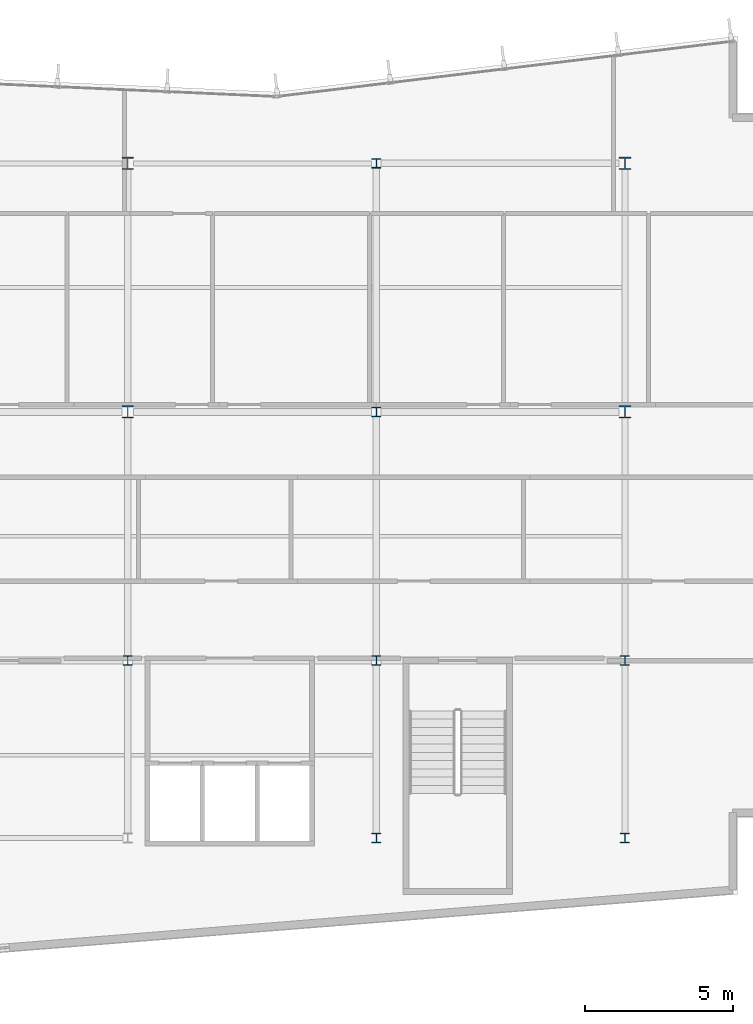
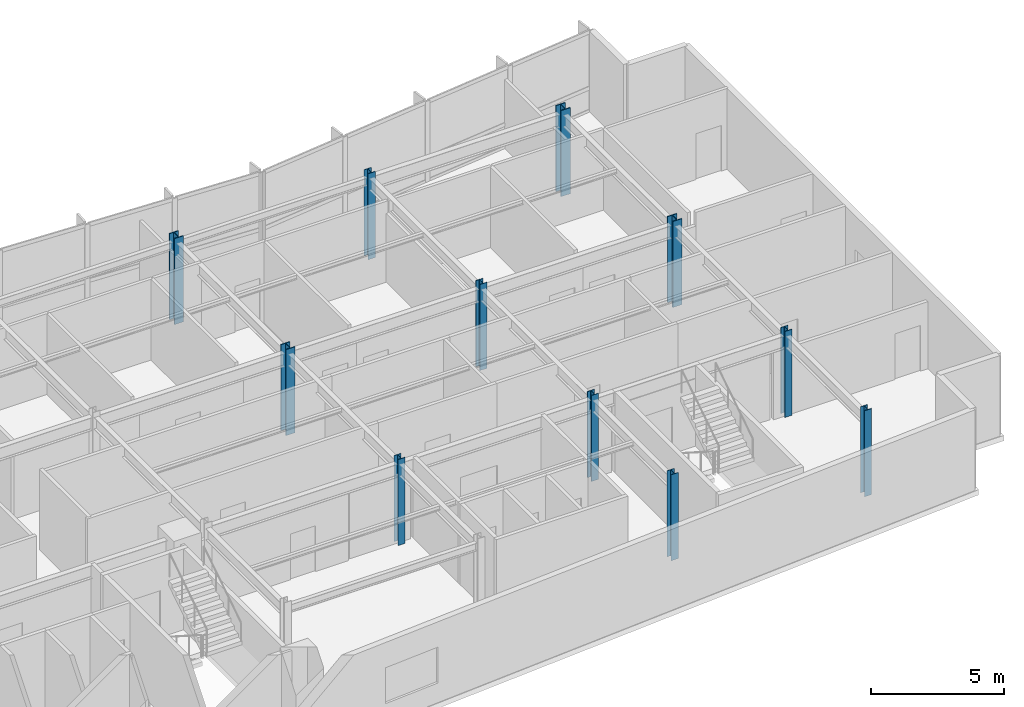
# One storey, part 2 of 17: 11 columns.
"""IFC4 building model written with IfcOpenShell, lengths in metres."""

from ifc_helpers import new_model, si_unit, direction, frame, origin, origin_2d, place, context, subcontext, project, spatial, i_section, extrude, material, material_profile, profile_set, type_object, element, save


model = new_model("IFC4")

# Units and contexts
model_context = context("Model", 3, precision=1e-05, world=origin(), true_north=direction((0.0, 1.0)))
body_context = subcontext(model_context, "Body", "Model", "MODEL_VIEW")
ifc_project = project(units=[si_unit("LENGTHUNIT", "METRE"), si_unit("AREAUNIT", "SQUARE_METRE"), si_unit("VOLUMEUNIT", "CUBIC_METRE"), si_unit("PLANEANGLEUNIT", "RADIAN"), si_unit("MASSUNIT", "GRAM", prefix="KILO")], contexts=[model_context])

# Site, building, storey
site_placement = place(None, origin())
site = spatial("IfcSite", under=ifc_project, at=site_placement, CompositionType="ELEMENT")
building_placement = place(site_placement, origin())
building = spatial("IfcBuilding", under=site, at=building_placement, Name="Varnakote Quay Hospital", CompositionType="ELEMENT")
storey_placement = place(building_placement, frame((0.0, 0.0, 134.949951171875)))
storey = spatial("IfcBuildingStorey", under=building, at=storey_placement, Name="L33", CompositionType="ELEMENT", Elevation=134.949951171875)

# Columns
ifc_material_1 = material(Name="Structural steel AS/NZS 3679.1 Grade 350 L0 (fy 340 MPa)", Category="steel")
ifc_material_profile_1 = material_profile(ifc_material_1, i_section(OverallWidth=0.30908203125, OverallDepth=0.321044921875, WebThickness=0.013916015625, FlangeThickness=0.021728515625, FilletRadius=0.0166015625, at=origin_2d()), Name="310UC137")
ifc_profile_set_1 = profile_set([ifc_material_profile_1], Name="Structural steel AS/NZS 3679.1 Grade 350 L0 (fy 340 MPa)")
column_type_1 = type_object("IfcColumnType", Name="COL-STL-310UC137", PredefinedType="COLUMN", material=ifc_profile_set_1)
for number, where, z_axis, x_axis, name in (
    (1, (42.0, 6.0, 0.0), (0.0, 0.0, 1.0), (1.0, 0.0, 0.0), "L33 Structural Column C-42-6"),
    (2, (50.39990234375, 6.0, 0.0), (0.0, 0.0, 1.0), (1.0, 0.0, 0.0), "L33 Structural Column C-50-6"),
    (3, (33.60009765625, 12.0, 0.0), (0.0, 0.0, 1.0), (1.0, 0.0, 0.0), "L33 Structural Column C-34-12"),
    (4, (42.0, 12.0, 0.0), (0.0, 0.0, 1.0), (1.0, 0.0, 0.0), "L33 Structural Column C-42-12"),
    (5, (50.39990234375, 12.0, 0.0), (0.0, 0.0, 1.0), (1.0, 0.0, 0.0), "L33 Structural Column C-50-12"),
    (6, (42.0, 20.39990234375, 0.0), (0.0, 0.0, 1.0), (1.0, 0.0, 0.0), "L33 Structural Column C-42-20"),
    (7, (42.0, 28.800048828125, 0.0), (0.0, 0.0, 1.0), (1.0, 0.0, 0.0), "L33 Structural Column C-42-29"),
):
    element("IfcColumn", number, at=place(storey_placement, frame(where, z_axis=z_axis, x_axis=x_axis)), inside=storey, type_object=column_type_1, Name=name, PredefinedType="COLUMN", context=body_context, shape_type="SweptSolid", body=[
        extrude(i_section(OverallWidth=0.30908203125, OverallDepth=0.321044921875, WebThickness=0.013916015625, FlangeThickness=0.021728515625, FilletRadius=0.0166015625, at=origin_2d()), origin(), (0.0, 0.0, 1.0), 3.949951171875),
    ])
ifc_material_2 = material(Name="Structural steel AS/NZS 3678 Grade 350 (fy 340 MPa)", Category="steel")
ifc_material_profile_2 = material_profile(ifc_material_2, i_section(OverallWidth=0.39990234375, OverallDepth=0.419921875, WebThickness=0.02490234375, FlangeThickness=0.0400390625, at=origin_2d()), Name="400WC328")
ifc_profile_set_2 = profile_set([ifc_material_profile_2], Name="Structural steel AS/NZS 3678 Grade 350 (fy 340 MPa)")
column_type_2 = type_object("IfcColumnType", Name="COL-STL-400WC328", PredefinedType="COLUMN", material=ifc_profile_set_2)
for number, where, z_axis, x_axis, name in (
    (8, (33.60009765625, 20.39990234375, 0.0), (0.0, 0.0, 1.0), (1.0, 0.0, 0.0), "L33 Structural Column C-34-20"),
    (9, (50.39990234375, 20.39990234375, 0.0), (0.0, 0.0, 1.0), (1.0, 0.0, 0.0), "L33 Structural Column C-50-20"),
    (10, (33.60009765625, 28.800048828125, 0.0), (0.0, 0.0, 1.0), (1.0, 0.0, 0.0), "L33 Structural Column C-34-29"),
    (11, (50.39990234375, 28.800048828125, 0.0), (0.0, 0.0, 1.0), (1.0, 0.0, 0.0), "L33 Structural Column C-50-29"),
):
    element("IfcColumn", number, at=place(storey_placement, frame(where, z_axis=z_axis, x_axis=x_axis)), inside=storey, type_object=column_type_2, Name=name, PredefinedType="COLUMN", context=body_context, shape_type="SweptSolid", body=[
        extrude(i_section(OverallWidth=0.39990234375, OverallDepth=0.419921875, WebThickness=0.02490234375, FlangeThickness=0.0400390625, at=origin_2d()), origin(), (0.0, 0.0, 1.0), 3.949951171875),
    ])

save(model, "model.ifc")
